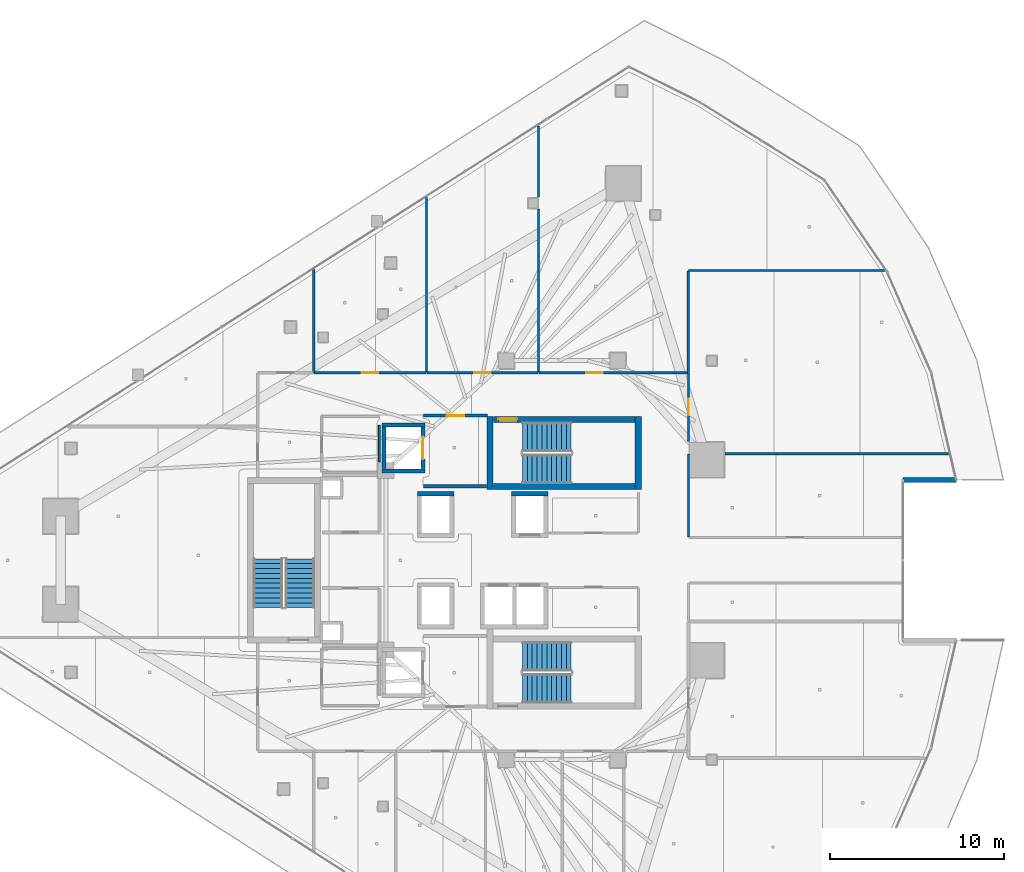
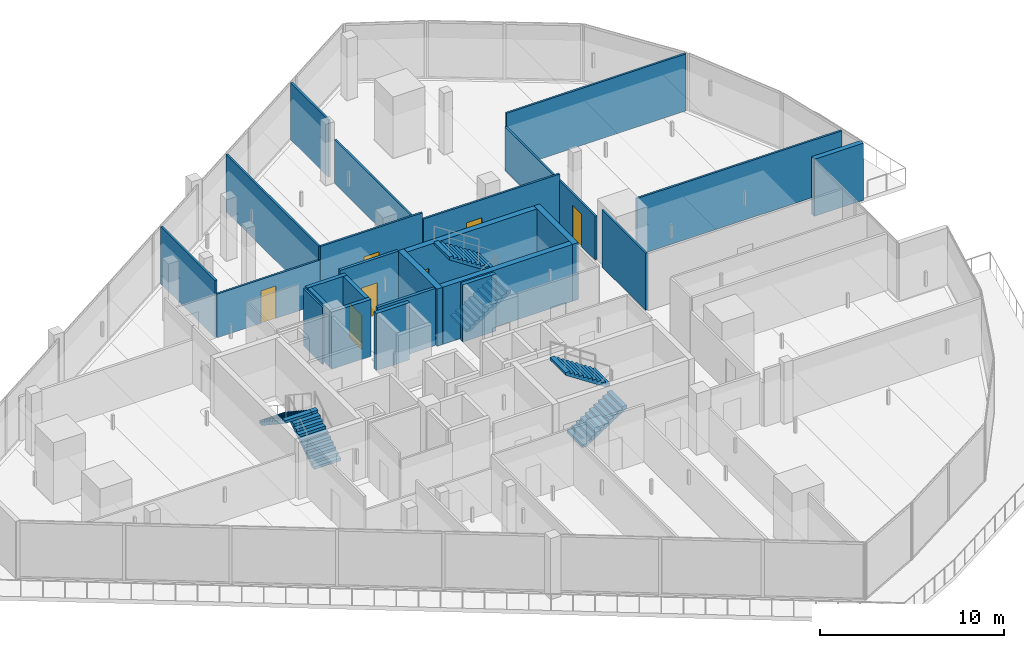
# One storey, part 27 of 37: 26 walls, 7 doors, 6 stair flights, 7 openings, 3 elements without a shape of their own.
"""IFC4 building model written with IfcOpenShell, lengths in metres."""

from ifc_helpers import new_model, si_unit, direction, frame, frame_2d, origin, place, context, subcontext, project, spatial, polyline, rectangle, outline, extrude, material, layer, layer_set, type_object, element, fill, aggregate, save


model = new_model("IFC4")

# Units and contexts
model_context = context("Model", 3, precision=1e-05, world=origin(), true_north=direction((0.0, 1.0)))
body_context = subcontext(model_context, "Body", "Model", "MODEL_VIEW")
ifc_project = project(units=[si_unit("LENGTHUNIT", "METRE"), si_unit("AREAUNIT", "SQUARE_METRE"), si_unit("VOLUMEUNIT", "CUBIC_METRE"), si_unit("PLANEANGLEUNIT", "RADIAN"), si_unit("MASSUNIT", "GRAM", prefix="KILO")], contexts=[model_context])

# Site, building, storey
site_placement = place(None, origin())
site = spatial("IfcSite", under=ifc_project, at=site_placement, CompositionType="ELEMENT")
building_placement = place(site_placement, origin())
building = spatial("IfcBuilding", under=site, at=building_placement, Name="Qorvath Tower", CompositionType="ELEMENT")
storey_placement = place(building_placement, frame((0.0, 0.0, 188.85009765625)))
storey = spatial("IfcBuildingStorey", under=building, at=storey_placement, Name="L43", CompositionType="ELEMENT", Elevation=188.85009765625)

# Wall
ifc_material_1 = material(Name="Gypsum shaftliner on steel studs", Category="steel")
ifc_layer_1 = layer(ifc_material_1, 0.179931640625)
ifc_layer_set_1 = layer_set([ifc_layer_1], Name="FW-LOBBY")
wall_type_1 = type_object("IfcWallType", Name="FW-LOBBY", PredefinedType="PARTITIONING", material=ifc_layer_set_1)
wall_1_placement = place(storey_placement, frame((-28.35498046875, 4.25, 0.0), z_axis=(0.0, 0.0, 1.0), x_axis=(1.0, 0.0, 0.0)))
element("IfcWall", 1, at=wall_1_placement, inside=storey, type_object=wall_type_1, Name="Interior Partition IW-T1-L43-001", PredefinedType="PARTITIONING", context=body_context, shape_type="SweptSolid", body=[
    extrude(rectangle(XDim=3.6220703125, YDim=0.179931640625, at=frame_2d((1.81103515625, 0.0))), origin(), (0.0, 0.0, 1.0), 3.77978515625),
])

# Wall, opening, door
wall_2_placement = place(storey_placement, frame((-24.68408203125, 8.300048828125, 0.0), z_axis=(0.0, 0.0, 1.0), x_axis=(-1.0, 0.0, 0.0)))
wall_2 = element("IfcWall", 2, at=wall_2_placement, inside=storey, type_object=wall_type_1, Name="Interior Partition IW-T1-L43-002", PredefinedType="PARTITIONING", context=body_context, shape_type="SweptSolid", body=[
    extrude(rectangle(XDim=3.6708984375, YDim=0.179931640625, at=frame_2d((1.83544921875, 0.0))), origin(), (0.0, 0.0, 1.0), 3.77978515625),
])
opening_1_placement = place(wall_2_placement, frame((1.33544921875, 0.0, 0.0)))
opening_1 = element("IfcOpeningElement", 3, at=opening_1_placement, cuts=wall_2, Name="Opening D-T1-L43-21", PredefinedType="OPENING", context=body_context, shape_type="SweptSolid", body=[
    extrude(rectangle(XDim=1.0, YDim=2.14990234375, at=frame_2d((0.5, 1.074951171875))), frame((0.0, 0.10009765625, 0.0), z_axis=(0.0, -1.0, 0.0), x_axis=(1.0, 0.0, 0.0)), (0.0, 0.0, 1.0), 0.199951171875),
])
ifc_material_2 = material(Name="Painted galvanised hollow metal", Category="steel")
door_type_1 = type_object("IfcDoorType", Name="FD-60", OperationType="NOTDEFINED", PredefinedType="DOOR", material=ifc_material_2)
door_1_placement = place(opening_1_placement, origin())
door_1 = element("IfcDoor", 4, at=door_1_placement, inside=storey, type_object=door_type_1, Name="Lobby Fire Service Elevator North Door D-T1-L43-21", OperationType="SINGLE_SWING_LEFT", OverallHeight=2.14990234375, OverallWidth=1.0, PredefinedType="DOOR", context=body_context, shape_type="SweptSolid", body=[
    extrude(rectangle(XDim=1.0, YDim=2.14990234375, at=frame_2d((0.5, 1.074951171875))), frame((0.0, 0.02490234375, 0.0), z_axis=(0.0, -1.0, 0.0), x_axis=(1.0, 0.0, 0.0)), (0.0, 0.0, 1.0), 0.050048828125),
])
fill(opening_1, door_1)

ifc_material_3 = material(Name="Gypsum board on metal studs with mineral wool", Category="gypsum")
ifc_layer_2 = layer(ifc_material_3, 0.125)
ifc_layer_set_2 = layer_set([ifc_layer_2], Name="IW-PART-125")
wall_type_2 = type_object("IfcWallType", Name="IW-PART-125", PredefinedType="PARTITIONING", material=ifc_layer_set_2)
wall_3_placement = place(storey_placement, frame((-34.625, 10.758056640625, 0.0), z_axis=(0.0, 0.0, 1.0), x_axis=(1.0, 0.0, 0.0)))
wall_3 = element("IfcWall", 5, at=wall_3_placement, inside=storey, type_object=wall_type_2, Name="Interior Partition IW-T1-L43-023", PredefinedType="PARTITIONING", context=body_context, shape_type="SweptSolid", body=[
    extrude(rectangle(XDim=6.4296875, YDim=0.125, at=frame_2d((3.21484375, 0.0))), origin(), (0.0, 0.0, 1.0), 2.899658203125),
])
opening_2_placement = place(wall_3_placement, frame((2.73974609375, 0.0, 0.0)))
opening_2 = element("IfcOpeningElement", 6, at=opening_2_placement, cuts=wall_3, Name="Opening D-T1-L43-07", PredefinedType="OPENING", context=body_context, shape_type="SweptSolid", body=[
    extrude(rectangle(XDim=0.949951171875, YDim=2.14990234375, at=frame_2d((0.47509765625, 1.074951171875))), frame((0.0, 0.072509765625, 0.0), z_axis=(0.0, -1.0, 0.0), x_axis=(1.0, 0.0, 0.0)), (0.0, 0.0, 1.0), 0.14501953125),
])
ifc_material_4 = material(Name="Solid-core American white oak veneer", Category="wood")
door_type_2 = type_object("IfcDoorType", Name="D-01", OperationType="NOTDEFINED", PredefinedType="DOOR", material=ifc_material_4)
door_2_placement = place(opening_2_placement, origin())
door_2 = element("IfcDoor", 7, at=door_2_placement, inside=storey, type_object=door_type_2, Name="L43-01 Project Collaboration Workspace Door D-T1-L43-07", OperationType="SINGLE_SWING_LEFT", OverallHeight=2.14990234375, OverallWidth=0.949951171875, PredefinedType="DOOR", context=body_context, shape_type="SweptSolid", body=[
    extrude(rectangle(XDim=0.949951171875, YDim=2.14990234375, at=frame_2d((0.47509765625, 1.074951171875))), frame((0.0, 0.02490234375, 0.0), z_axis=(0.0, -1.0, 0.0), x_axis=(1.0, 0.0, 0.0)), (0.0, 0.0, 1.0), 0.050048828125),
])
fill(opening_2, door_2)

# Walls
wall_4_placement = place(storey_placement, frame((-28.17041015625, 10.783203125, 0.0), z_axis=(0.0, 0.0, 1.0), x_axis=(0.0, 1.0, 0.0)))
element("IfcWall", 8, at=wall_4_placement, inside=storey, type_object=wall_type_2, Name="Interior Partition IW-T1-L43-024", PredefinedType="PARTITIONING", context=body_context, shape_type="SweptSolid", body=[
    extrude(rectangle(XDim=10.033447265625, YDim=0.125, at=frame_2d((5.0166015625, 0.0))), origin(), (0.0, 0.0, 1.0), 3.77978515625),
])
wall_5_placement = place(storey_placement, frame((-34.64990234375, 16.675537109375, 0.0), z_axis=(0.0, 0.0, 1.0), x_axis=(0.0, -1.0, 0.0)))
element("IfcWall", 9, at=wall_5_placement, inside=storey, type_object=wall_type_2, Name="Interior Partition IW-T1-L43-025", PredefinedType="PARTITIONING", context=body_context, shape_type="SweptSolid", body=[
    extrude(rectangle(XDim=5.892333984375, YDim=0.125, at=frame_2d((2.9462890625, 0.0))), origin(), (0.0, 0.0, 1.0), 3.77978515625),
])

# Wall, opening, door
wall_6_placement = place(storey_placement, frame((-28.1376953125, 10.758056640625, 0.0), z_axis=(0.0, 0.0, 1.0), x_axis=(1.0, 0.0, 0.0)))
wall_6 = element("IfcWall", 10, at=wall_6_placement, inside=storey, type_object=wall_type_2, Name="Interior Partition IW-T1-L43-026", PredefinedType="PARTITIONING", context=body_context, shape_type="SweptSolid", body=[
    extrude(rectangle(XDim=6.36328125, YDim=0.125, at=frame_2d((3.181640625, 0.0))), origin(), (0.0, 0.0, 1.0), 3.77978515625),
])
opening_3_placement = place(wall_6_placement, frame((2.70654296875, 0.0, 0.0)))
opening_3 = element("IfcOpeningElement", 11, at=opening_3_placement, cuts=wall_6, Name="Opening D-T1-L43-08", PredefinedType="OPENING", context=body_context, shape_type="SweptSolid", body=[
    extrude(rectangle(XDim=0.949951171875, YDim=2.14990234375, at=frame_2d((0.47509765625, 1.074951171875))), frame((0.0, 0.072509765625, 0.0), z_axis=(0.0, -1.0, 0.0), x_axis=(1.0, 0.0, 0.0)), (0.0, 0.0, 1.0), 0.14501953125),
])
door_3_placement = place(opening_3_placement, origin())
door_3 = element("IfcDoor", 12, at=door_3_placement, inside=storey, type_object=door_type_2, Name="L43-02 Staff Wellness Studio Door D-T1-L43-08", OperationType="SINGLE_SWING_RIGHT", OverallHeight=2.14990234375, OverallWidth=0.949951171875, PredefinedType="DOOR", context=body_context, shape_type="SweptSolid", body=[
    extrude(rectangle(XDim=0.949951171875, YDim=2.14990234375, at=frame_2d((0.47509765625, 1.074951171875))), frame((0.0, 0.02490234375, 0.0), z_axis=(0.0, -1.0, 0.0), x_axis=(1.0, 0.0, 0.0)), (0.0, 0.0, 1.0), 0.050048828125),
])
fill(opening_3, door_3)

# Walls
wall_7_placement = place(storey_placement, frame((-21.74951171875, 10.783203125, 0.0), z_axis=(0.0, 0.0, 1.0), x_axis=(0.0, 1.0, 0.0)))
element("IfcWall", 13, at=wall_7_placement, inside=storey, type_object=wall_type_2, Name="Interior Partition IW-T1-L43-027", PredefinedType="PARTITIONING", context=body_context, shape_type="SweptSolid", body=[
    extrude(rectangle(XDim=9.37158203125, YDim=0.125, at=frame_2d((4.685791015625, 0.0))), origin(), (0.0, 0.0, 1.0), 2.894775390625),
])
wall_8_placement = place(storey_placement, frame((-21.74951171875, 20.8349609375, 0.0), z_axis=(0.0, 0.0, 1.0), x_axis=(0.0, 1.0, 0.0)))
element("IfcWall", 14, at=wall_8_placement, inside=storey, type_object=wall_type_2, Name="Interior Partition IW-T1-L43-028", PredefinedType="PARTITIONING", context=body_context, shape_type="SweptSolid", body=[
    extrude(rectangle(XDim=4.08544921875, YDim=0.125, at=frame_2d((2.042724609375, 0.0))), origin(), (0.0, 0.0, 1.0), 3.77978515625),
])
wall_9_placement = place(storey_placement, frame((-13.14990234375, 10.783203125, 0.0), z_axis=(0.0, 0.0, 1.0), x_axis=(0.0, 1.0, 0.0)))
element("IfcWall", 15, at=wall_9_placement, inside=storey, type_object=wall_type_2, Name="Interior Partition IW-T1-L43-029", PredefinedType="PARTITIONING", context=body_context, shape_type="SweptSolid", body=[
    extrude(rectangle(XDim=5.8125, YDim=0.125, at=frame_2d((2.90625, 0.0))), origin(), (0.0, 0.0, 1.0), 2.899658203125),
])
wall_10_placement = place(storey_placement, frame((-13.125, 16.620849609375, 0.0), z_axis=(0.0, 0.0, 1.0), x_axis=(0.999999660387, 0.000824151711, 0.0)))
element("IfcWall", 16, at=wall_10_placement, inside=storey, type_object=wall_type_2, Name="Interior Partition IW-T1-L43-030", PredefinedType="PARTITIONING", context=body_context, shape_type="SweptSolid", body=[
    extrude(rectangle(XDim=11.2568359375, YDim=0.125, at=frame_2d((5.62841796875, 0.0))), origin(), (0.0, 0.0, 1.0), 3.77978515625),
])

# Wall, opening, door
wall_11_placement = place(storey_placement, frame((-21.716796875, 10.758056640625, 0.0), z_axis=(0.0, 0.0, 1.0), x_axis=(1.0, 0.0, 0.0)))
wall_11 = element("IfcWall", 17, at=wall_11_placement, inside=storey, type_object=wall_type_2, Name="Interior Partition IW-T1-L43-031", PredefinedType="PARTITIONING", context=body_context, shape_type="SweptSolid", body=[
    extrude(rectangle(XDim=8.5419921875, YDim=0.125, at=frame_2d((4.27099609375, 0.0))), origin(), (0.0, 0.0, 1.0), 3.343994140625),
])
opening_4_placement = place(wall_11_placement, frame((2.71142578125, 0.0, 0.0)))
opening_4 = element("IfcOpeningElement", 18, at=opening_4_placement, cuts=wall_11, Name="Opening D-T1-L43-09", PredefinedType="OPENING", context=body_context, shape_type="SweptSolid", body=[
    extrude(rectangle(XDim=0.949951171875, YDim=2.14990234375, at=frame_2d((0.47509765625, 1.074951171875))), frame((0.0, 0.072509765625, 0.0), z_axis=(0.0, -1.0, 0.0), x_axis=(1.0, 0.0, 0.0)), (0.0, 0.0, 1.0), 0.14501953125),
])
door_4_placement = place(opening_4_placement, origin())
door_4 = element("IfcDoor", 19, at=door_4_placement, inside=storey, type_object=door_type_2, Name="L43-03 Design Pin-Up Atelier Door D-T1-L43-09", OperationType="SINGLE_SWING_LEFT", OverallHeight=2.14990234375, OverallWidth=0.949951171875, PredefinedType="DOOR", context=body_context, shape_type="SweptSolid", body=[
    extrude(rectangle(XDim=0.949951171875, YDim=2.14990234375, at=frame_2d((0.47509765625, 1.074951171875))), frame((0.0, 0.02490234375, 0.0), z_axis=(0.0, -1.0, 0.0), x_axis=(1.0, 0.0, 0.0)), (0.0, 0.0, 1.0), 0.050048828125),
])
fill(opening_4, door_4)

# Walls
wall_12_placement = place(storey_placement, frame((1.798828125, 6.10888671875, 0.0), z_axis=(0.0, 0.0, 1.0), x_axis=(-1.0, 0.0, 0.0)))
element("IfcWall", 20, at=wall_12_placement, inside=storey, type_object=wall_type_2, Name="Interior Partition IW-T1-L43-047", PredefinedType="PARTITIONING", context=body_context, shape_type="SweptSolid", body=[
    extrude(rectangle(XDim=12.83056640625, YDim=0.125, at=frame_2d((6.415283203125, 0.0))), origin(), (0.0, 0.0, 1.0), 3.77978515625),
])
wall_13_placement = place(storey_placement, frame((-13.14208984375, 6.083984375, 0.0), z_axis=(0.0, 0.0, 1.0), x_axis=(0.0, -1.0, 0.0)))
element("IfcWall", 21, at=wall_13_placement, inside=storey, type_object=wall_type_2, Name="Interior Partition IW-T1-L43-048", PredefinedType="PARTITIONING", context=body_context, shape_type="SweptSolid", body=[
    extrude(rectangle(XDim=4.7509765625, YDim=0.125, at=frame_2d((2.37548828125, 0.0))), origin(), (0.0, 0.0, 1.0), 3.77978515625),
])

# Wall, opening, door
wall_14_placement = place(storey_placement, frame((-13.1376953125, 10.75830078125, 0.0), z_axis=(0.0, 0.0, 1.0), x_axis=(0.000806501382, -0.999999674778, 0.0)))
wall_14 = element("IfcWall", 22, at=wall_14_placement, inside=storey, type_object=wall_type_2, Name="Interior Partition IW-T1-L43-052", PredefinedType="PARTITIONING", context=body_context, shape_type="SweptSolid", body=[
    extrude(rectangle(XDim=3.935302734375, YDim=0.125, at=frame_2d((1.9677734375, 0.0))), origin(), (0.0, 0.0, 1.0), 2.899658203125),
])
opening_5_placement = place(wall_14_placement, frame((1.49267578125, 0.0, 0.0)))
opening_5 = element("IfcOpeningElement", 23, at=opening_5_placement, cuts=wall_14, Name="Opening D-T1-L43-17", PredefinedType="OPENING", context=body_context, shape_type="SweptSolid", body=[
    extrude(rectangle(XDim=0.949951171875, YDim=2.14990234375, at=frame_2d((0.47509765625, 1.074951171875))), frame((0.0, 0.072509765625, 0.0), z_axis=(0.0, -1.0, 0.0), x_axis=(1.0, 0.0, 0.0)), (0.0, 0.0, 1.0), 0.14501953125),
])
door_5_placement = place(opening_5_placement, origin())
door_5 = element("IfcDoor", 24, at=door_5_placement, inside=storey, type_object=door_type_2, Name="L43-11 Staff Refreshment Pantry and Coffee Bar Door D-T1-L43-17", OperationType="SINGLE_SWING_LEFT", OverallHeight=2.14990234375, OverallWidth=0.949951171875, PredefinedType="DOOR", context=body_context, shape_type="SweptSolid", body=[
    extrude(rectangle(XDim=0.949951171875, YDim=2.14990234375, at=frame_2d((0.47509765625, 1.074951171875))), frame((0.0, 0.02490234375, 0.0), z_axis=(0.0, -1.0, 0.0), x_axis=(1.0, 0.0, 0.0)), (0.0, 0.0, 1.0), 0.050048828125),
])
fill(opening_5, door_5)

# Walls
ifc_material_5 = material(Name="Moisture-resistant cement board on metal studs", Category="gypsum")
ifc_layer_3 = layer(ifc_material_5, 0.110107421875)
ifc_layer_set_3 = layer_set([ifc_layer_3], Name="IW-WC-110")
wall_type_3 = type_object("IfcWallType", Name="IW-WC-110", PredefinedType="PARTITIONING", material=ifc_layer_set_3)
wall_15_placement = place(storey_placement, frame((-30.8798828125, 5.6650390625, 0.0), z_axis=(0.0, 0.0, 1.0), x_axis=(0.0, 1.0, 0.0)))
element("IfcWall", 25, at=wall_15_placement, inside=storey, type_object=wall_type_3, Name="Interior Partition IW-T1-L43-007", PredefinedType="PARTITIONING", context=body_context, shape_type="SweptSolid", body=[
    extrude(rectangle(XDim=2.077880859375, YDim=0.110107421875, at=frame_2d((1.0390625, 0.0))), origin(), (0.0, 0.0, 1.0), 3.77978515625),
])
ifc_material_6 = material(Name="Concrete C60/75", Category="concrete")
ifc_layer_4 = layer(ifc_material_6, 0.260009765625)
ifc_layer_set_4 = layer_set([ifc_layer_4], Name="SW-SHAFT")
wall_type_4 = type_object("IfcWallType", Name="SW-SHAFT", PredefinedType="SHEAR", material=ifc_layer_set_4)
for number, where, z_axis, x_axis, name in (
    (26, (-28.260009765625, 5.1298828125, 0.0), (0.0, 0.0, 1.0), (-1.0, 0.0, 0.0), "Hoistway Wall FSAE-1 L43 S"),
    (27, (-30.739990234375, 7.77001953125, 0.0), (0.0, 0.0, 1.0), (1.0, 0.0, 0.0), "Hoistway Wall FSAE-1 L43 N"),
):
    element("IfcWall", number, at=place(storey_placement, frame(where, z_axis=z_axis, x_axis=x_axis)), inside=storey, type_object=wall_type_4, Name=name, PredefinedType="SHEAR", context=body_context, shape_type="SweptSolid", body=[
        extrude(rectangle(XDim=2.47998046875, YDim=0.239990234375, at=frame_2d((1.239990234375, 0.0))), origin(), (0.0, 0.0, 1.0), 3.77978515625),
    ])
wall_16_placement = place(storey_placement, frame((-30.6201171875, 5.261962890625, 0.0), z_axis=(0.0, 0.0, 1.0), x_axis=(0.0, 1.0, 0.0)))
element("IfcWall", 28, at=wall_16_placement, inside=storey, type_object=wall_type_4, Name="Hoistway Wall FSAE-1 L43 W", PredefinedType="SHEAR", context=body_context, shape_type="SweptSolid", body=[
    extrude(rectangle(XDim=2.3759765625, YDim=0.239990234375, at=frame_2d((1.18798828125, 0.0))), origin(), (0.0, 0.0, 1.0), 3.77978515625),
])

# Wall, opening, door
wall_17_placement = place(storey_placement, frame((-28.3798828125, 7.637939453125, 0.0), z_axis=(0.0, 0.0, 1.0), x_axis=(0.0, -1.0, 0.0)))
wall_17 = element("IfcWall", 29, at=wall_17_placement, inside=storey, type_object=wall_type_4, Name="Hoistway Wall FSAE-1 L43 E", PredefinedType="SHEAR", context=body_context, shape_type="SweptSolid", body=[
    extrude(rectangle(XDim=2.3759765625, YDim=0.239990234375, at=frame_2d((1.18798828125, 0.0))), origin(), (0.0, 0.0, 1.0), 3.77978515625),
])
opening_6_placement = place(wall_17_placement, frame((0.537841796875, 0.0, 0.0)))
opening_6 = element("IfcOpeningElement", 30, at=opening_6_placement, cuts=wall_17, Name="Opening LD-FSAE-1-L43", PredefinedType="OPENING", context=body_context, shape_type="SweptSolid", body=[
    extrude(rectangle(XDim=1.300048828125, YDim=2.300048828125, at=frame_2d((0.64990234375, 1.14990234375))), frame((0.0, 0.1298828125, 0.0), z_axis=(0.0, -1.0, 0.0), x_axis=(1.0, 0.0, 0.0)), (0.0, 0.0, 1.0), 0.260009765625),
])
ifc_material_7 = material(Name="Brushed stainless steel AISI 316", Category="steel")
door_type_3 = type_object("IfcDoorType", Name="LD-02", OperationType="NOTDEFINED", PredefinedType="DOOR", material=ifc_material_7)
door_6_placement = place(opening_6_placement, origin())
door_6 = element("IfcDoor", 31, at=door_6_placement, inside=storey, type_object=door_type_3, Name="Elevator Landing Sliding Door LD-FSAE-1-L43", OperationType="DOUBLE_DOOR_SLIDING", OverallHeight=2.300048828125, OverallWidth=1.300048828125, PredefinedType="DOOR", context=body_context, shape_type="SweptSolid", body=[
    extrude(rectangle(XDim=1.300048828125, YDim=2.300048828125, at=frame_2d((0.64990234375, 1.14990234375))), frame((0.0, 0.02490234375, 0.0), z_axis=(0.0, -1.0, 0.0), x_axis=(1.0, 0.0, 0.0)), (0.0, 0.0, 1.0), 0.050048828125),
])
fill(opening_6, door_6)

# Walls
wall_18_placement = place(storey_placement, frame((-28.68994140625, 3.820068359375, 0.0), z_axis=(0.0, 0.0, 1.0), x_axis=(1.0, 0.0, 0.0)))
element("IfcWall", 32, at=wall_18_placement, inside=storey, type_object=wall_type_4, Name="Hoistway Wall PS-1 L43 N", PredefinedType="SHEAR", context=body_context, shape_type="SweptSolid", body=[
    extrude(rectangle(XDim=2.079833984375, YDim=0.239990234375, at=frame_2d((1.0400390625, 0.0))), origin(), (0.0, 0.0, 1.0), 3.77978515625),
])
wall_19_placement = place(storey_placement, frame((-23.2900390625, 3.820068359375, 0.0), z_axis=(0.0, 0.0, 1.0), x_axis=(1.0, 0.0, 0.0)))
element("IfcWall", 33, at=wall_19_placement, inside=storey, type_object=wall_type_4, Name="Hoistway Wall PU-1 L43 N", PredefinedType="SHEAR", context=body_context, shape_type="SweptSolid", body=[
    extrude(rectangle(XDim=2.080078125, YDim=0.239990234375, at=frame_2d((1.0400390625, 0.0))), origin(), (0.0, 0.0, 1.0), 3.77978515625),
])
ifc_material_8 = material(Name="Concrete C60/75", Category="concrete")
ifc_layer_5 = layer(ifc_material_8, 0.35009765625)
ifc_layer_set_5 = layer_set([ifc_layer_5], Name="SW-STAIR")
wall_type_5 = type_object("IfcWallType", Name="SW-STAIR", PredefinedType="SHEAR", material=ifc_layer_set_5)
for number, where, z_axis, x_axis, name in (
    (34, (-24.52490234375, 8.260009765625, 0.0), (0.0, 0.0, 1.0), (0.0, -1.0, 0.0), "Stair TS1 Shear Wall L43 NEAR"),
    (35, (-16.02490234375, 4.050048828125, 0.0), (0.0, 0.0, 1.0), (0.0, 1.0, 0.0), "Stair TS1 Shear Wall L43 FAR"),
):
    element("IfcWall", number, at=place(storey_placement, frame(where, z_axis=z_axis, x_axis=x_axis)), inside=storey, type_object=wall_type_5, Name=name, PredefinedType="SHEAR", context=body_context, shape_type="SweptSolid", body=[
        extrude(rectangle(XDim=4.2099609375, YDim=0.35009765625, at=frame_2d((2.10498046875, 0.0))), origin(), (0.0, 0.0, 1.0), 3.77978515625),
    ])
wall_20_placement = place(storey_placement, frame((-24.3349609375, 4.22509765625, 0.0), z_axis=(0.0, 0.0, 1.0), x_axis=(1.0, 0.0, 0.0)))
element("IfcWall", 36, at=wall_20_placement, inside=storey, type_object=wall_type_5, Name="Stair TS1 Shear Wall L43 LEFT", PredefinedType="SHEAR", context=body_context, shape_type="SweptSolid", body=[
    extrude(rectangle(XDim=8.119873046875, YDim=0.35009765625, at=frame_2d((4.06005859375, 0.0))), origin(), (0.0, 0.0, 1.0), 3.77978515625),
])

# Wall, opening, door
wall_21_placement = place(storey_placement, frame((-16.215087890625, 8.0849609375, 0.0), z_axis=(0.0, 0.0, 1.0), x_axis=(-1.0, 0.0, 0.0)))
wall_21 = element("IfcWall", 37, at=wall_21_placement, inside=storey, type_object=wall_type_5, Name="Stair TS1 Shear Wall L43 RIGHT", PredefinedType="SHEAR", context=body_context, shape_type="SweptSolid", body=[
    extrude(rectangle(XDim=8.119873046875, YDim=0.35009765625, at=frame_2d((4.06005859375, 0.0))), origin(), (0.0, 0.0, 1.0), 3.77978515625),
])
opening_7_placement = place(wall_21_placement, frame((6.739990234375, 0.0, 0.0)))
opening_7 = element("IfcOpeningElement", 38, at=opening_7_placement, cuts=wall_21, Name="Opening D-TS1-L43", PredefinedType="OPENING", context=body_context, shape_type="SweptSolid", body=[
    extrude(rectangle(XDim=1.10009765625, YDim=2.199951171875, at=frame_2d((0.550048828125, 1.10009765625))), frame((0.0, 0.18505859375, 0.0), z_axis=(0.0, -1.0, 0.0), x_axis=(1.0, 0.0, 0.0)), (0.0, 0.0, 1.0), 0.3701171875),
])
ifc_material_9 = material(Name="Painted galvanised hollow metal", Category="steel")
door_type_4 = type_object("IfcDoorType", Name="FD-90", OperationType="NOTDEFINED", PredefinedType="DOOR", material=ifc_material_9)
door_7_placement = place(opening_7_placement, origin())
door_7 = element("IfcDoor", 39, at=door_7_placement, inside=storey, type_object=door_type_4, Name="Stair TS1 Fire Door L43", OperationType="SINGLE_SWING_RIGHT", OverallHeight=2.199951171875, OverallWidth=1.10009765625, PredefinedType="DOOR", context=body_context, shape_type="SweptSolid", body=[
    extrude(rectangle(XDim=1.10009765625, YDim=2.199951171875, at=frame_2d((0.550048828125, 1.10009765625))), frame((0.0, 0.02490234375, 0.0), z_axis=(0.0, -1.0, 0.0), x_axis=(1.0, 0.0, 0.0)), (0.0, 0.0, 1.0), 0.050048828125),
])
fill(opening_7, door_7)

# Wall
ifc_material_10 = material(Name="Precast concrete C45/55", Category="concrete")
ifc_layer_6 = layer(ifc_material_10, 0.300048828125)
ifc_layer_set_6 = layer_set([ifc_layer_6], Name="WL-EW-LOG-300")
wall_type_6 = type_object("IfcWallType", Name="WL-EW-LOG-300", PredefinedType="SOLIDWALL", material=ifc_layer_set_6)
wall_22_placement = place(storey_placement, frame((-0.83837890625, 4.600830078125, 0.0), z_axis=(0.0, 0.0, 1.0), x_axis=(1.0, 0.0, 0.0)))
element("IfcWall", 40, at=wall_22_placement, inside=storey, type_object=wall_type_6, Name="Tower Precast Loggia Wall L43-10.1", PredefinedType="SOLIDWALL", context=body_context, shape_type="SweptSolid", body=[
    extrude(rectangle(XDim=3.0673828125, YDim=0.300048828125, at=frame_2d((1.53369140625, 0.0))), origin(), (0.0, 0.0, 1.0), 3.77978515625),
])

# Stair, stair flights
ifc_material_11 = material(Name="Concrete C50/60", Category="concrete")
stair_type = type_object("IfcStairType", Name="ST-H405", PredefinedType="HALF_TURN_STAIR", material=ifc_material_11)
stair_1_placement = place(storey_placement, origin())
stair_1 = element("IfcStair", 41, at=stair_1_placement, inside=storey, type_object=stair_type, Name="L43 Tower Exit Stair 1", PredefinedType="HALF_TURN_STAIR")
ifc_material_12 = material(Name="Concrete C50/60", Category="concrete")
ifc_layer_7 = layer(ifc_material_12, 0.14990234375)
ifc_layer_set_7 = layer_set([ifc_layer_7], Name="SF-H405")
stair_flight_type = type_object("IfcStairFlightType", Name="SF-H405", PredefinedType="STRAIGHT", material=ifc_layer_set_7)
stair_flight_1_placement = place(storey_placement, frame((-22.669921875, 5.239990234375, 0.0), z_axis=(0.0, 0.0, 1.0), x_axis=(1.0, 0.0, 0.0)))
stair_flight_1 = element("IfcStairFlight", 42, at=stair_flight_1_placement, type_object=stair_flight_type, Name="TS1 flight 1", NumberOfRisers=11, NumberOfTreads=10, PredefinedType="STRAIGHT", RiserHeight=0.184090909, TreadLength=0.28, context=body_context, shape_type="SweptSolid", body=[
    extrude(outline(polyline([(0.0, 0.0), (0.0, 0.18408203125), (0.280029296875, 0.18408203125), (0.280029296875, 0.3681640625), (0.56005859375, 0.3681640625), (0.56005859375, 0.55224609375), (0.840087890625, 0.55224609375), (0.840087890625, 0.736328125), (1.1201171875, 0.736328125), (1.1201171875, 0.92041015625), (1.39990234375, 0.92041015625), (1.39990234375, 1.1044921875), (1.679931640625, 1.1044921875), (1.679931640625, 1.28857421875), (1.9599609375, 1.28857421875), (1.9599609375, 1.47265625), (2.239990234375, 1.47265625), (2.239990234375, 1.65673828125), (2.52001953125, 1.65673828125), (2.52001953125, 1.8408203125), (2.800048828125, 1.8408203125), (2.800048828125, 2.02490234375), (2.800048828125, 1.66162109375), (0.27294921875, 0.0), (0.0, 0.0)])), frame((0.0, 0.83984375, 0.0), z_axis=(0.0, -1.0, 0.0), x_axis=(1.0, 0.0, 0.0)), (0.0, 0.0, 1.0), 1.679931640625),
])
stair_flight_2_placement = place(storey_placement, frame((-19.8701171875, 7.070068359375, 2.02490234375), z_axis=(0.0, 0.0, 1.0), x_axis=(-1.0, 0.0, 0.0)))
stair_flight_2 = element("IfcStairFlight", 43, at=stair_flight_2_placement, type_object=stair_flight_type, Name="TS1 flight 2", NumberOfRisers=11, NumberOfTreads=10, PredefinedType="STRAIGHT", RiserHeight=0.184090909, TreadLength=0.28, context=body_context, shape_type="SweptSolid", body=[
    extrude(outline(polyline([(0.0, 0.0), (0.0, 0.18408203125), (0.280029296875, 0.18408203125), (0.280029296875, 0.3681640625), (0.56005859375, 0.3681640625), (0.56005859375, 0.55224609375), (0.840087890625, 0.55224609375), (0.840087890625, 0.736328125), (1.1201171875, 0.736328125), (1.1201171875, 0.92041015625), (1.39990234375, 0.92041015625), (1.39990234375, 1.1044921875), (1.679931640625, 1.1044921875), (1.679931640625, 1.28857421875), (1.9599609375, 1.28857421875), (1.9599609375, 1.47265625), (2.239990234375, 1.47265625), (2.239990234375, 1.65673828125), (2.52001953125, 1.65673828125), (2.52001953125, 1.8408203125), (2.800048828125, 1.8408203125), (2.800048828125, 2.02490234375), (2.800048828125, 1.66162109375), (0.27294921875, 0.0), (0.0, 0.0)])), frame((0.0, 0.83984375, 0.0), z_axis=(0.0, -1.0, 0.0), x_axis=(1.0, 0.0, 0.0)), (0.0, 0.0, 1.0), 1.679931640625),
])
aggregate(stair_1, [stair_flight_1, stair_flight_2])

stair_2_placement = place(storey_placement, origin())
stair_2 = element("IfcStair", 44, at=stair_2_placement, inside=storey, type_object=stair_type, Name="L43 Tower Exit Stair 2", PredefinedType="HALF_TURN_STAIR")
stair_flight_3_placement = place(storey_placement, frame((-22.669921875, -7.360107421875, 0.0), z_axis=(0.0, 0.0, 1.0), x_axis=(1.0, 0.0, 0.0)))
stair_flight_3 = element("IfcStairFlight", 45, at=stair_flight_3_placement, type_object=stair_flight_type, Name="TS2 flight 1", NumberOfRisers=11, NumberOfTreads=10, PredefinedType="STRAIGHT", RiserHeight=0.184090909, TreadLength=0.28, context=body_context, shape_type="SweptSolid", body=[
    extrude(outline(polyline([(0.0, 0.0), (0.0, 0.18408203125), (0.280029296875, 0.18408203125), (0.280029296875, 0.3681640625), (0.56005859375, 0.3681640625), (0.56005859375, 0.55224609375), (0.840087890625, 0.55224609375), (0.840087890625, 0.736328125), (1.1201171875, 0.736328125), (1.1201171875, 0.92041015625), (1.39990234375, 0.92041015625), (1.39990234375, 1.1044921875), (1.679931640625, 1.1044921875), (1.679931640625, 1.28857421875), (1.9599609375, 1.28857421875), (1.9599609375, 1.47265625), (2.239990234375, 1.47265625), (2.239990234375, 1.65673828125), (2.52001953125, 1.65673828125), (2.52001953125, 1.8408203125), (2.800048828125, 1.8408203125), (2.800048828125, 2.02490234375), (2.800048828125, 1.66162109375), (0.27294921875, 0.0), (0.0, 0.0)])), frame((0.0, 0.83984375, 0.0), z_axis=(0.0, -1.0, 0.0), x_axis=(1.0, 0.0, 0.0)), (0.0, 0.0, 1.0), 1.679931640625),
])
stair_flight_4_placement = place(storey_placement, frame((-19.8701171875, -5.530029296875, 2.02490234375), z_axis=(0.0, 0.0, 1.0), x_axis=(-1.0, 0.0, 0.0)))
stair_flight_4 = element("IfcStairFlight", 46, at=stair_flight_4_placement, type_object=stair_flight_type, Name="TS2 flight 2", NumberOfRisers=11, NumberOfTreads=10, PredefinedType="STRAIGHT", RiserHeight=0.184090909, TreadLength=0.28, context=body_context, shape_type="SweptSolid", body=[
    extrude(outline(polyline([(0.0, 0.0), (0.0, 0.18408203125), (0.280029296875, 0.18408203125), (0.280029296875, 0.3681640625), (0.56005859375, 0.3681640625), (0.56005859375, 0.55224609375), (0.840087890625, 0.55224609375), (0.840087890625, 0.736328125), (1.1201171875, 0.736328125), (1.1201171875, 0.92041015625), (1.39990234375, 0.92041015625), (1.39990234375, 1.1044921875), (1.679931640625, 1.1044921875), (1.679931640625, 1.28857421875), (1.9599609375, 1.28857421875), (1.9599609375, 1.47265625), (2.239990234375, 1.47265625), (2.239990234375, 1.65673828125), (2.52001953125, 1.65673828125), (2.52001953125, 1.8408203125), (2.800048828125, 1.8408203125), (2.800048828125, 2.02490234375), (2.800048828125, 1.66162109375), (0.27294921875, 0.0), (0.0, 0.0)])), frame((0.0, 0.83984375, 0.0), z_axis=(0.0, -1.0, 0.0), x_axis=(1.0, 0.0, 0.0)), (0.0, 0.0, 1.0), 1.679931640625),
])
aggregate(stair_2, [stair_flight_3, stair_flight_4])

stair_3_placement = place(storey_placement, origin())
stair_3 = element("IfcStair", 47, at=stair_3_placement, inside=storey, type_object=stair_type, Name="L43 Tower Exit Stair 3", PredefinedType="HALF_TURN_STAIR")
stair_flight_5_placement = place(storey_placement, frame((-35.43994140625, -2.719970703125, 0.0), z_axis=(0.0, 0.0, 1.0), x_axis=(0.0, 1.0, 0.0)))
stair_flight_5 = element("IfcStairFlight", 48, at=stair_flight_5_placement, type_object=stair_flight_type, Name="TS3 flight 1", NumberOfRisers=11, NumberOfTreads=10, PredefinedType="STRAIGHT", RiserHeight=0.184090909, TreadLength=0.28, context=body_context, shape_type="SweptSolid", body=[
    extrude(outline(polyline([(0.0, 0.0), (0.0, 0.18408203125), (0.280029296875, 0.18408203125), (0.280029296875, 0.3681640625), (0.56005859375, 0.3681640625), (0.56005859375, 0.55224609375), (0.840087890625, 0.55224609375), (0.840087890625, 0.736328125), (1.1201171875, 0.736328125), (1.1201171875, 0.92041015625), (1.39990234375, 0.92041015625), (1.39990234375, 1.1044921875), (1.679931640625, 1.1044921875), (1.679931640625, 1.28857421875), (1.9599609375, 1.28857421875), (1.9599609375, 1.47265625), (2.239990234375, 1.47265625), (2.239990234375, 1.65673828125), (2.52001953125, 1.65673828125), (2.52001953125, 1.8408203125), (2.800048828125, 1.8408203125), (2.800048828125, 2.02490234375), (2.800048828125, 1.66162109375), (0.27294921875, 0.0), (0.0, 0.0)])), frame((0.0, 0.83984375, 0.0), z_axis=(0.0, -1.0, 0.0), x_axis=(1.0, 0.0, 0.0)), (0.0, 0.0, 1.0), 1.679931640625),
])
stair_flight_6_placement = place(storey_placement, frame((-37.27001953125, 0.080078125, 2.02490234375), z_axis=(0.0, 0.0, 1.0), x_axis=(0.0, -1.0, 0.0)))
stair_flight_6 = element("IfcStairFlight", 49, at=stair_flight_6_placement, type_object=stair_flight_type, Name="TS3 flight 2", NumberOfRisers=11, NumberOfTreads=10, PredefinedType="STRAIGHT", RiserHeight=0.184090909, TreadLength=0.28, context=body_context, shape_type="SweptSolid", body=[
    extrude(outline(polyline([(0.0, 0.0), (0.0, 0.18408203125), (0.280029296875, 0.18408203125), (0.280029296875, 0.3681640625), (0.56005859375, 0.3681640625), (0.56005859375, 0.55224609375), (0.840087890625, 0.55224609375), (0.840087890625, 0.736328125), (1.1201171875, 0.736328125), (1.1201171875, 0.92041015625), (1.39990234375, 0.92041015625), (1.39990234375, 1.1044921875), (1.679931640625, 1.1044921875), (1.679931640625, 1.28857421875), (1.9599609375, 1.28857421875), (1.9599609375, 1.47265625), (2.239990234375, 1.47265625), (2.239990234375, 1.65673828125), (2.52001953125, 1.65673828125), (2.52001953125, 1.8408203125), (2.800048828125, 1.8408203125), (2.800048828125, 2.02490234375), (2.800048828125, 1.66162109375), (0.27294921875, 0.0), (0.0, 0.0)])), frame((0.0, 0.83984375, 0.0), z_axis=(0.0, -1.0, 0.0), x_axis=(1.0, 0.0, 0.0)), (0.0, 0.0, 1.0), 1.679931640625),
])
aggregate(stair_3, [stair_flight_5, stair_flight_6])

save(model, "model.ifc")
